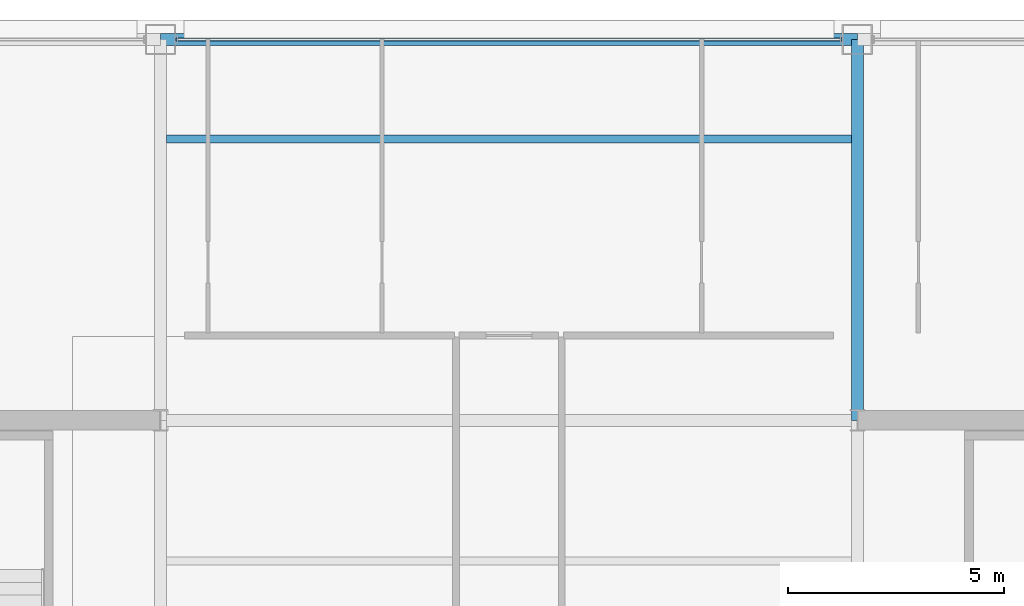
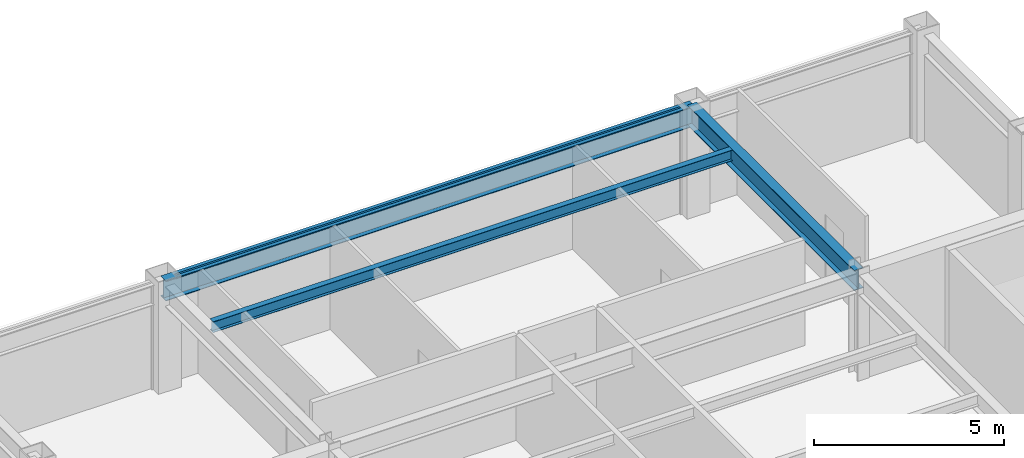
# One storey, part 20 of 29: 3 beams, 1 member, 1 element without a shape of its own.
"""IFC4 building model written with IfcOpenShell, lengths in metres."""

from ifc_helpers import new_model, si_unit, direction, frame, origin, origin_2d, place, context, subcontext, project, spatial, hollow_rectangle, i_section, extrude, material, layer, layer_set, material_profile, profile_set, type_object, element, aggregate, save


model = new_model("IFC4")

# Units and contexts
model_context = context("Model", 3, precision=1e-05, world=origin(), true_north=direction((0.0, 1.0)))
body_context = subcontext(model_context, "Body", "Model", "MODEL_VIEW")
ifc_project = project(units=[si_unit("LENGTHUNIT", "METRE"), si_unit("AREAUNIT", "SQUARE_METRE"), si_unit("VOLUMEUNIT", "CUBIC_METRE"), si_unit("PLANEANGLEUNIT", "RADIAN"), si_unit("MASSUNIT", "GRAM", prefix="KILO")], contexts=[model_context])

# Site, building, storey
site_placement = place(None, origin())
site = spatial("IfcSite", under=ifc_project, at=site_placement, CompositionType="ELEMENT")
building_placement = place(site_placement, origin())
building = spatial("IfcBuilding", under=site, at=building_placement, Name="Brelmoor Portico Tower", CompositionType="ELEMENT")
storey_placement = place(building_placement, frame((0.0, 0.0, 201.89990234375)))
storey = spatial("IfcBuildingStorey", under=building, at=storey_placement, Name="L53", CompositionType="ELEMENT", Elevation=201.89990234375)

# Beams
ifc_material_1 = material(Name="Steel Q355B", Category="steel")
ifc_material_profile_1 = material_profile(ifc_material_1, i_section(OverallWidth=0.175048828125, OverallDepth=0.35009765625, WebThickness=0.007080078125, FlangeThickness=0.010986328125, at=origin_2d()), Name="HN 350x175x7x11")
ifc_profile_set_1 = profile_set([ifc_material_profile_1], Name="Steel Q355B")
beam_type_1 = type_object("IfcBeamType", Name="BM-JS-350", PredefinedType="JOIST", material=ifc_profile_set_1)
beam_1_placement = place(storey_placement, frame((-7.909912109375, 16.25, 3.22509765625), z_axis=(1.0, 0.0, 0.0), x_axis=(0.0, 1.0, 0.0)))
element("IfcBeam", 1, at=beam_1_placement, inside=storey, type_object=beam_type_1, Name="L53 Secondary Composite Joist JS-C04", PredefinedType="JOIST", context=body_context, shape_type="SweptSolid", body=[
    extrude(i_section(OverallWidth=0.175048828125, OverallDepth=0.35009765625, WebThickness=0.007080078125, FlangeThickness=0.010986328125, at=origin_2d()), origin(), (0.0, 0.0, 1.0), 15.81982421875),
])
ifc_material_profile_2 = material_profile(ifc_material_1, i_section(OverallWidth=0.280029296875, OverallDepth=0.64990234375, WebThickness=0.012939453125, FlangeThickness=0.02197265625, at=origin_2d()), Name="HN 650x280x13x22")
ifc_profile_set_2 = profile_set([ifc_material_profile_2], Name="Steel Q355B")
beam_type_2 = type_object("IfcBeamType", Name="BM-PG-650", PredefinedType="BEAM", material=ifc_profile_set_2)
beam_2_placement = place(storey_placement, frame((8.050048828125, 9.75, 3.0751953125), z_axis=(0.0, 1.0, 0.0), x_axis=(-1.0, 0.0, 0.0)))
element("IfcBeam", 2, at=beam_2_placement, inside=storey, type_object=beam_type_2, Name="L53 Primary Floor Girder PG-08", PredefinedType="BEAM", context=body_context, shape_type="SweptSolid", body=[
    extrude(i_section(OverallWidth=0.280029296875, OverallDepth=0.64990234375, WebThickness=0.012939453125, FlangeThickness=0.02197265625, at=origin_2d()), origin(), (0.0, 0.0, 1.0), 8.800048828125),
])
ifc_material_profile_3 = material_profile(ifc_material_1, i_section(OverallWidth=0.280029296875, OverallDepth=0.64990234375, WebThickness=0.012939453125, FlangeThickness=0.02197265625, at=origin_2d()), Name="HN 650x280x13x22")
ifc_profile_set_3 = profile_set([ifc_material_profile_3], Name="Steel Q355B")
beam_type_3 = type_object("IfcBeamType", Name="BM-SP-650", PredefinedType="SPANDREL", material=ifc_profile_set_3)
beam_3_placement = place(storey_placement, frame((-8.050048828125, 18.550048828125, 3.0751953125), z_axis=(1.0, 0.0, 0.0), x_axis=(0.0, 1.0, 0.0)))
element("IfcBeam", 3, at=beam_3_placement, inside=storey, type_object=beam_type_3, Name="L53 Perimeter Spandrel Beam SP-09", PredefinedType="SPANDREL", context=body_context, shape_type="SweptSolid", body=[
    extrude(i_section(OverallWidth=0.280029296875, OverallDepth=0.64990234375, WebThickness=0.012939453125, FlangeThickness=0.02197265625, at=origin_2d()), origin(), (0.0, 0.0, 1.0), 16.10009765625),
])

# Curtain wall, member
ifc_material_2 = material(Name="Anodised Aluminium Alloy 6063-T6", Category="aluminium")
ifc_layer = layer(ifc_material_2, 0.179931640625)
ifc_layer_set = layer_set([ifc_layer], Name="Anodised Aluminium Alloy 6063-T6")
curtain_wall_type = type_object("IfcCurtainWallType", Name="CW-TOWER-Z3-XB", PredefinedType="NOTDEFINED", material=ifc_layer_set)
curtain_wall_placement = place(storey_placement, origin())
curtain_wall = element("IfcCurtainWall", 4, at=curtain_wall_placement, inside=storey, type_object=curtain_wall_type, Name="L53 Curtain Wall CW-L53-02-2", PredefinedType="NOTDEFINED")
ifc_material_profile_4 = material_profile(ifc_material_2, hollow_rectangle(XDim=0.06005859375, YDim=0.125, WallThickness=0.00341796875, at=origin_2d()), Name="ALU TRANSOM 60x125")
ifc_profile_set_4 = profile_set([ifc_material_profile_4], Name="Anodised Aluminium Alloy 6063-T6")
member_type = type_object("IfcMemberType", Name="MB-CW-TRAN-125", PredefinedType="USERDEFINED", material=ifc_profile_set_4)
member_placement = place(storey_placement, frame((-7.68994140625, 18.550048828125, 3.337646484375), z_axis=(1.0, 0.0, 0.0), x_axis=(0.0, 1.0, 0.0)))
member = element("IfcMember", 5, at=member_placement, type_object=member_type, Name="CW-L53-02-2 Transom 1-00", ObjectType="TRANSOM", PredefinedType="USERDEFINED", context=body_context, shape_type="SweptSolid", body=[
    extrude(hollow_rectangle(XDim=0.06005859375, YDim=0.125, WallThickness=0.00341796875, at=origin_2d()), origin(), (0.0, 0.0, 1.0), 15.3798828125),
])
aggregate(curtain_wall, [member])

save(model, "model.ifc")
